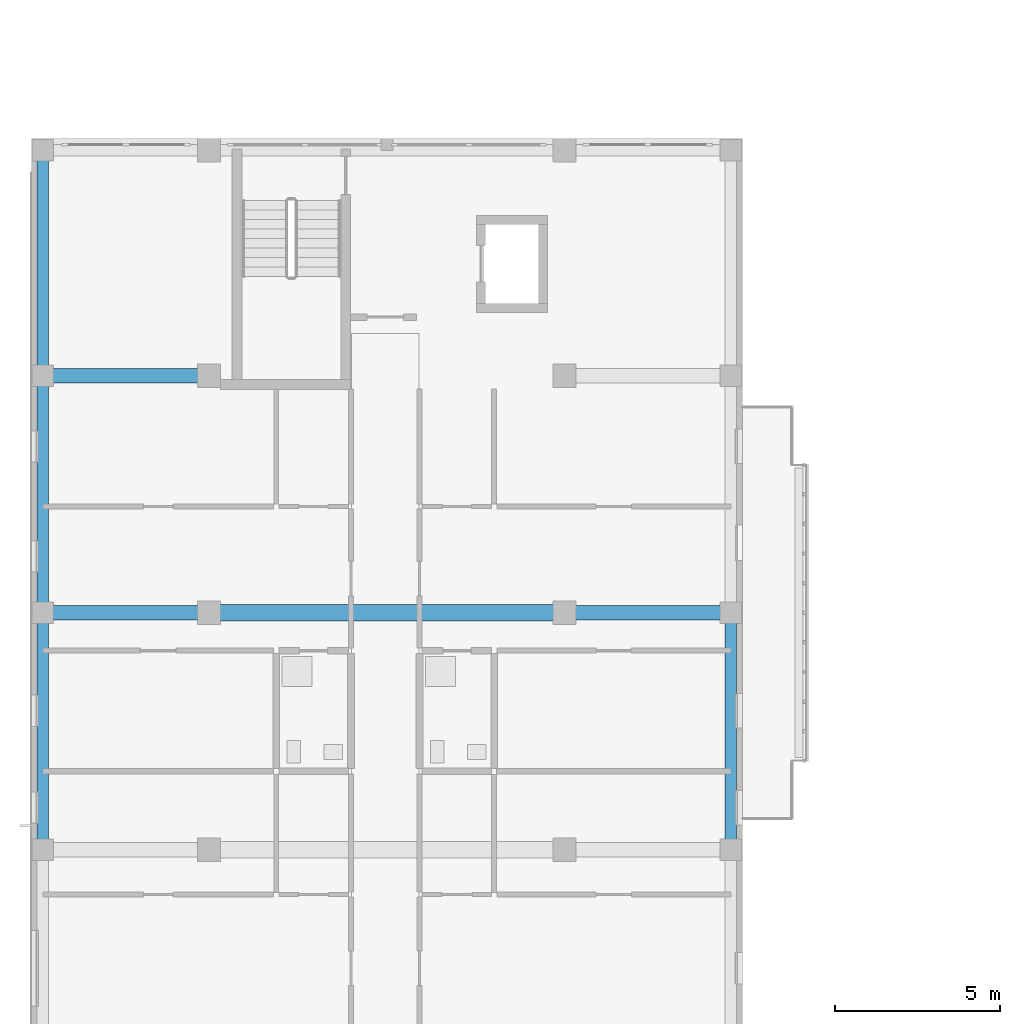
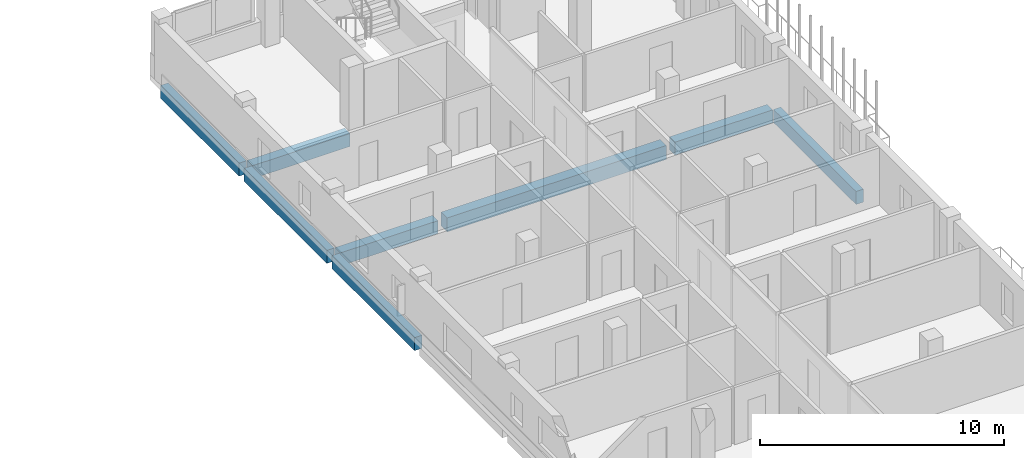
# One storey, part 5 of 51: 8 beams.
"""IFC4 building model written with IfcOpenShell, lengths in metres."""

from ifc_helpers import new_model, si_unit, derived_unit, direction, frame, origin, origin_2d, place, context, subcontext, project, spatial, rectangle, extrude, material, material_profile, profile_set, type_object, element, save


model = new_model("IFC4")

# Units and contexts
model_context = context("Model", 3, precision=1e-05, world=origin(), true_north=direction((0.0, 1.0)))
body_context = subcontext(model_context, "Body", "Model", "MODEL_VIEW")
ifc_project = project(units=[si_unit("LENGTHUNIT", "METRE"), si_unit("AREAUNIT", "SQUARE_METRE"), si_unit("VOLUMEUNIT", "CUBIC_METRE"), si_unit("PLANEANGLEUNIT", "RADIAN"), si_unit("MASSUNIT", "GRAM", prefix="KILO"), derived_unit("THERMALTRANSMITTANCEUNIT", [(si_unit("MASSUNIT", "GRAM", prefix="KILO"), 1), (si_unit("TIMEUNIT", "SECOND"), -3), (si_unit("THERMODYNAMICTEMPERATUREUNIT", "KELVIN"), -1)])], contexts=[model_context])

# Site, building, storey
site_placement = place(None, origin())
site = spatial("IfcSite", under=ifc_project, at=site_placement, CompositionType="ELEMENT")
building_placement = place(site_placement, origin())
building = spatial("IfcBuilding", under=site, at=building_placement, Name="Ochrekiln Boulevard Commons", CompositionType="ELEMENT")
storey_placement = place(building_placement, frame((0.0, 0.0, 18.375)))
storey = spatial("IfcBuildingStorey", under=building, at=storey_placement, Name="L05", CompositionType="ELEMENT", Elevation=18.375)

# Beams
ifc_material_1 = material(Name="Concrete C35/45", Category="concrete")
ifc_material_profile_1 = material_profile(ifc_material_1, rectangle(XDim=0.449951171875, YDim=0.64990234375, at=origin_2d()), Name="RC-BM-450x650")
ifc_profile_set_1 = profile_set([ifc_material_profile_1], Name="Concrete C35/45")
beam_type_1 = type_object("IfcBeamType", Name="BM-RC-450x650", PredefinedType="BEAM", material=ifc_profile_set_1)
beam_1_placement = place(storey_placement, frame((0.56005859375, 36.0, -0.5849609375), z_axis=(1.0, 0.0, 0.0), x_axis=(0.0, 1.0, 0.0)))
element("IfcBeam", 1, at=beam_1_placement, inside=storey, type_object=beam_type_1, Name="Block D L05 Beam B-4565 X15", PredefinedType="BEAM", context=body_context, shape_type="SweptSolid", body=[
    extrude(rectangle(XDim=0.449951171875, YDim=0.64990234375, at=origin_2d()), origin(), (0.0, 0.0, 1.0), 4.6298828125),
])
beam_2_placement = place(storey_placement, frame((16.409912109375, 36.0, -0.5849609375), z_axis=(1.0, 0.0, 0.0), x_axis=(0.0, 1.0, 0.0)))
element("IfcBeam", 2, at=beam_2_placement, inside=storey, type_object=beam_type_1, Name="Block D L05 Beam B-4565 X17", PredefinedType="BEAM", context=body_context, shape_type="SweptSolid", body=[
    extrude(rectangle(XDim=0.449951171875, YDim=0.64990234375, at=origin_2d()), origin(), (0.0, 0.0, 1.0), 4.630126953125),
])
beam_3_placement = place(storey_placement, frame((0.56005859375, 43.199951171875, -0.5849609375), z_axis=(1.0, 0.0, 0.0), x_axis=(0.0, 1.0, 0.0)))
element("IfcBeam", 3, at=beam_3_placement, inside=storey, type_object=beam_type_1, Name="Block D L05 Beam B-4565 X18", PredefinedType="BEAM", context=body_context, shape_type="SweptSolid", body=[
    extrude(rectangle(XDim=0.449951171875, YDim=0.64990234375, at=origin_2d()), origin(), (0.0, 0.0, 1.0), 4.6298828125),
])
ifc_material_2 = material(Name="Concrete C40/50", Category="concrete")
ifc_material_profile_2 = material_profile(ifc_material_2, rectangle(XDim=0.5, YDim=0.699951171875, at=origin_2d()), Name="RC-BM-500x700")
ifc_profile_set_2 = profile_set([ifc_material_profile_2], Name="Concrete C40/50")
beam_type_2 = type_object("IfcBeamType", Name="BM-RC-500x700", PredefinedType="BEAM", material=ifc_profile_set_2)
beam_4_placement = place(storey_placement, frame((5.610107421875, 36.0, -0.610107421875), z_axis=(1.0, 0.0, 0.0), x_axis=(0.0, 1.0, 0.0)))
element("IfcBeam", 4, at=beam_4_placement, inside=storey, type_object=beam_type_2, Name="Block D L05 Beam B-5070 X16", PredefinedType="BEAM", context=body_context, shape_type="SweptSolid", body=[
    extrude(rectangle(XDim=0.5, YDim=0.699951171875, at=origin_2d()), origin(), (0.0, 0.0, 1.0), 10.3798828125),
])
ifc_material_profile_3 = material_profile(ifc_material_2, rectangle(XDim=0.35009765625, YDim=0.64990234375, at=origin_2d()), Name="RC-SPN-350x650")
ifc_profile_set_3 = profile_set([ifc_material_profile_3], Name="Concrete C40/50")
beam_type_3 = type_object("IfcBeamType", Name="SPN-RC-350x650", PredefinedType="SPANDREL", material=ifc_profile_set_3)
for number, where, z_axis, x_axis, name in (
    (5, (0.35009765625, 29.010009765625, -0.5849609375), (0.0, 1.0, 0.0), (-1.0, 0.0, 0.0), "Block D L05 Beam SP-3565 Y27"),
    (6, (0.35009765625, 36.2099609375, -0.5849609375), (0.0, 1.0, 0.0), (-1.0, 0.0, 0.0), "Block D L05 Beam SP-3565 Y28"),
):
    element("IfcBeam", number, at=place(storey_placement, frame(where, z_axis=z_axis, x_axis=x_axis)), inside=storey, type_object=beam_type_3, Name=name, PredefinedType="SPANDREL", context=body_context, shape_type="SweptSolid", body=[
        extrude(rectangle(XDim=0.35009765625, YDim=0.64990234375, at=origin_2d()), origin(), (0.0, 0.0, 1.0), 6.780029296875),
    ])
beam_5_placement = place(storey_placement, frame((0.35009765625, 43.409912109375, -0.5849609375), z_axis=(0.0, 1.0, 0.0), x_axis=(-1.0, 0.0, 0.0)))
element("IfcBeam", 7, at=beam_5_placement, inside=storey, type_object=beam_type_3, Name="Block D L05 Beam SP-3565 Y29", PredefinedType="SPANDREL", context=body_context, shape_type="SweptSolid", body=[
    extrude(rectangle(XDim=0.35009765625, YDim=0.64990234375, at=origin_2d()), origin(), (0.0, 0.0, 1.0), 6.43017578125),
])
beam_6_placement = place(storey_placement, frame((21.25, 29.010009765625, -0.5849609375), z_axis=(0.0, 1.0, 0.0), x_axis=(-1.0, 0.0, 0.0)))
element("IfcBeam", 8, at=beam_6_placement, inside=storey, type_object=beam_type_3, Name="Block D L05 Beam SP-3565 Y34", PredefinedType="SPANDREL", context=body_context, shape_type="SweptSolid", body=[
    extrude(rectangle(XDim=0.35009765625, YDim=0.64990234375, at=origin_2d()), origin(), (0.0, 0.0, 1.0), 6.780029296875),
])

save(model, "model.ifc")
